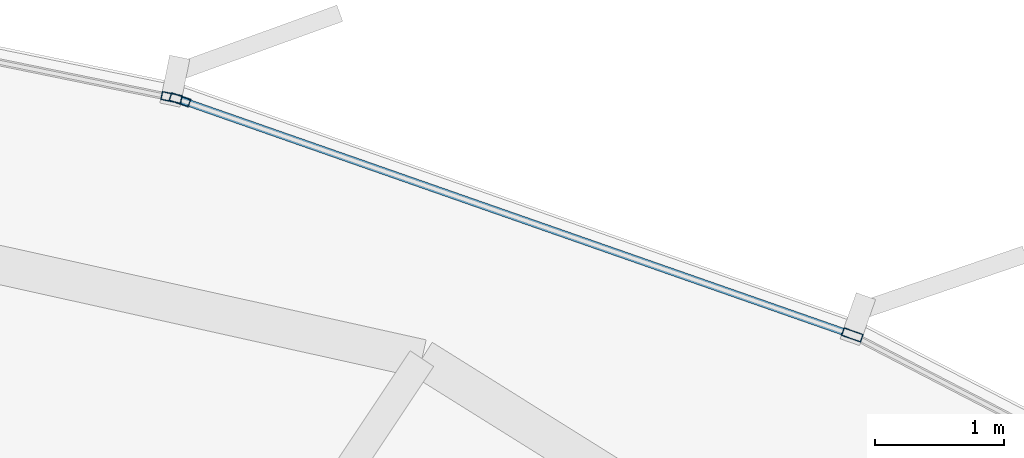
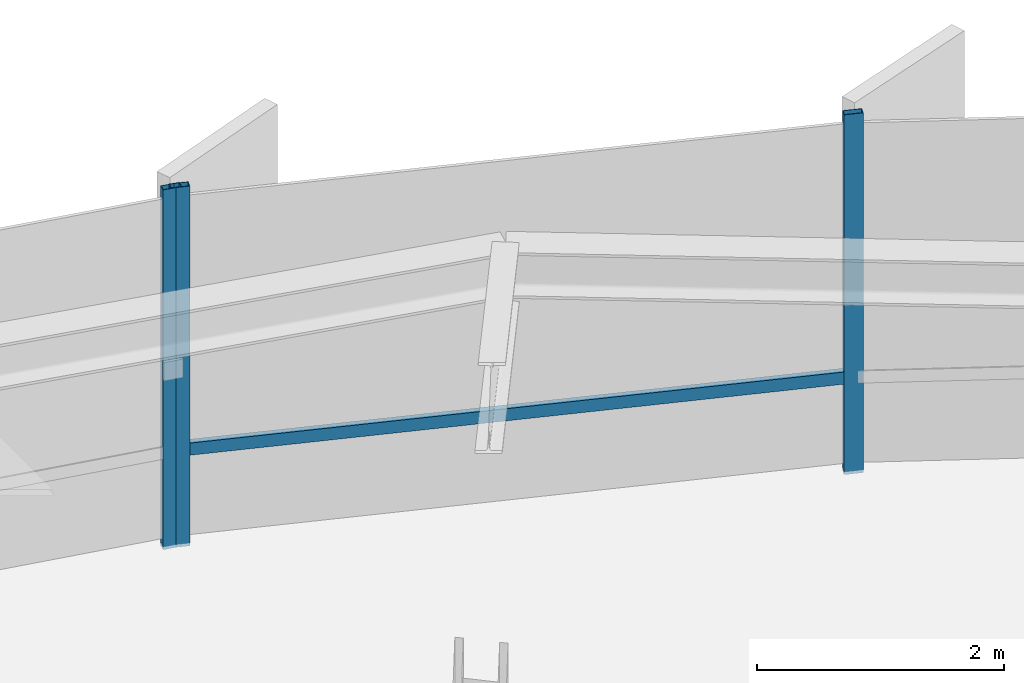
# One storey, part 28 of 38: 4 members, 2 elements without a shape of their own.
"""IFC4 building model written with IfcOpenShell, lengths in metres."""

from ifc_helpers import new_model, si_unit, direction, frame, origin, origin_2d, place, context, subcontext, project, spatial, hollow_rectangle, extrude, source, transform, mapped, material, layer, layer_set, material_profile, profile_set, type_object, element, aggregate, save


model = new_model("IFC4")

# Units and contexts
model_context = context("Model", 3, precision=1e-05, world=origin(), true_north=direction((0.0, 1.0)))
body_context = subcontext(model_context, "Body", "Model", "MODEL_VIEW")
ifc_project = project(units=[si_unit("LENGTHUNIT", "METRE"), si_unit("AREAUNIT", "SQUARE_METRE"), si_unit("VOLUMEUNIT", "CUBIC_METRE"), si_unit("PLANEANGLEUNIT", "RADIAN"), si_unit("MASSUNIT", "GRAM", prefix="KILO"), si_unit("THERMODYNAMICTEMPERATUREUNIT", "KELVIN")], contexts=[model_context])

# Site, building, storey
site_placement = place(None, origin())
site = spatial("IfcSite", under=ifc_project, at=site_placement, CompositionType="ELEMENT")
building_placement = place(site_placement, origin())
building = spatial("IfcBuilding", under=site, at=building_placement, Name="Kethvar Cultural Tower", CompositionType="ELEMENT")
storey_placement = place(building_placement, frame((0.0, 0.0, 63.800048828125)))
storey = spatial("IfcBuildingStorey", under=building, at=storey_placement, Name="L15", CompositionType="ELEMENT", Elevation=63.800048828125)

# Curtain wall, members
ifc_material = material(Name="Aluminium 6063-T6", Category="aluminium")
ifc_layer = layer(ifc_material, 0.179931640625, Name="Aluminium 6063-T6", Category="aluminium")
ifc_layer_set = layer_set([ifc_layer], Name="Aluminium 6063-T6 (180 mm)")
curtain_wall_type = type_object("IfcCurtainWallType", Name="CW-SYS-02-Z1", PredefinedType="NOTDEFINED", material=ifc_layer_set)
curtain_wall_1_placement = place(storey_placement, origin())
curtain_wall_1 = element("IfcCurtainWall", 1, at=curtain_wall_1_placement, inside=storey, type_object=curtain_wall_type, Name="L15 Curtain Wall Run 01", PredefinedType="NOTDEFINED")
ifc_material_profile_1 = material_profile(ifc_material, hollow_rectangle(XDim=0.06494140625, YDim=0.159912109375, WallThickness=0.0048828125, at=origin_2d()), Name="Aluminium 6063-T6 — RHS160x65x5")
ifc_profile_set_1 = profile_set([ifc_material_profile_1], Name="Aluminium 6063-T6 — RHS160x65x5")
member_type_1 = type_object("IfcMemberType", Name="CW-SYS-02-Z1-MUL", PredefinedType="MULLION", material=ifc_profile_set_1)
shared_shape_1 = source(origin(), body_context, "Body", "SweptSolid", [
    extrude(hollow_rectangle(XDim=0.06494140625, YDim=0.159912109375, WallThickness=0.0048828125, at=origin_2d()), origin(), (0.0, 0.0, 1.0), 3.550048828125),
])
member_1_placement = place(storey_placement, frame((64.950439453125, 50.138916015625, 0.0), z_axis=(0.0, 0.0, 1.0), x_axis=(-0.330003698904, -0.943979638927, 0.0)))
member_1 = element("IfcMember", 2, at=member_1_placement, type_object=member_type_1, Name="CW-L15-R01 Mullion 6", PredefinedType="MULLION", context=body_context, shape_type="MappedRepresentation", body=[
    mapped(shared_shape_1, transform((0.0, 0.0, 0.0), scale=1.0)),
])
member_2_placement = place(storey_placement, frame((59.72021484375, 51.96728515625, 0.0), z_axis=(0.0, 0.0, 1.0), x_axis=(-0.330003698904, -0.943979638927, 0.0)))
member_2 = element("IfcMember", 3, at=member_2_placement, type_object=member_type_1, Name="CW-L15-R01 Mullion 7", PredefinedType="MULLION", context=body_context, shape_type="MappedRepresentation", body=[
    mapped(shared_shape_1, transform((0.0, 0.0, 0.0), scale=1.0)),
])

# Curtain wall, member
curtain_wall_2_placement = place(storey_placement, origin())
curtain_wall_2 = element("IfcCurtainWall", 4, at=curtain_wall_2_placement, inside=storey, type_object=curtain_wall_type, Name="L15 Curtain Wall Run 02", PredefinedType="NOTDEFINED")
member_3_placement = place(storey_placement, frame((59.654541015625, 51.985595703125, 0.0), z_axis=(0.0, 0.0, 1.0), x_axis=(-0.200684678248, -0.979655888522, 0.0)))
member_3 = element("IfcMember", 5, at=member_3_placement, type_object=member_type_1, Name="CW-L15-R02 Mullion 1", PredefinedType="MULLION", context=body_context, shape_type="MappedRepresentation", body=[
    mapped(shared_shape_1, transform((0.0, 0.0, 0.0), scale=1.0)),
])
aggregate(curtain_wall_2, [member_3])

# Member
ifc_material_profile_2 = material_profile(ifc_material, hollow_rectangle(XDim=0.054931640625, YDim=0.1201171875, WallThickness=0.00390625, at=origin_2d()), Name="Aluminium 6063-T6 — RHS120x55x4")
ifc_profile_set_2 = profile_set([ifc_material_profile_2], Name="Aluminium 6063-T6 — RHS120x55x4")
member_type_2 = type_object("IfcMemberType", Name="CW-SYS-02-Z1-TRN", PredefinedType="USERDEFINED", material=ifc_profile_set_2)
shared_shape_2 = source(origin(), body_context, "Body", "SweptSolid", [
    extrude(hollow_rectangle(XDim=0.054931640625, YDim=0.1201171875, WallThickness=0.00390625, at=origin_2d()), origin(), (0.0, 0.0, 1.0), 5.4892578125),
])
member_4_placement = place(storey_placement, frame((64.90625, 50.154296875, 0.949951171875), z_axis=(-0.943974789156, 0.330017571407, 0.0), x_axis=(-0.330017571407, -0.943974789156, 0.0)))
member_4 = element("IfcMember", 6, at=member_4_placement, type_object=member_type_2, Name="CW-L15-R01 Transom 6", ObjectType="TRANSOM", PredefinedType="USERDEFINED", context=body_context, shape_type="MappedRepresentation", body=[
    mapped(shared_shape_2, transform((0.0, 0.0, 0.0), scale=1.0)),
])

aggregate(curtain_wall_1, [member_1, member_2, member_4])

save(model, "model.ifc")
